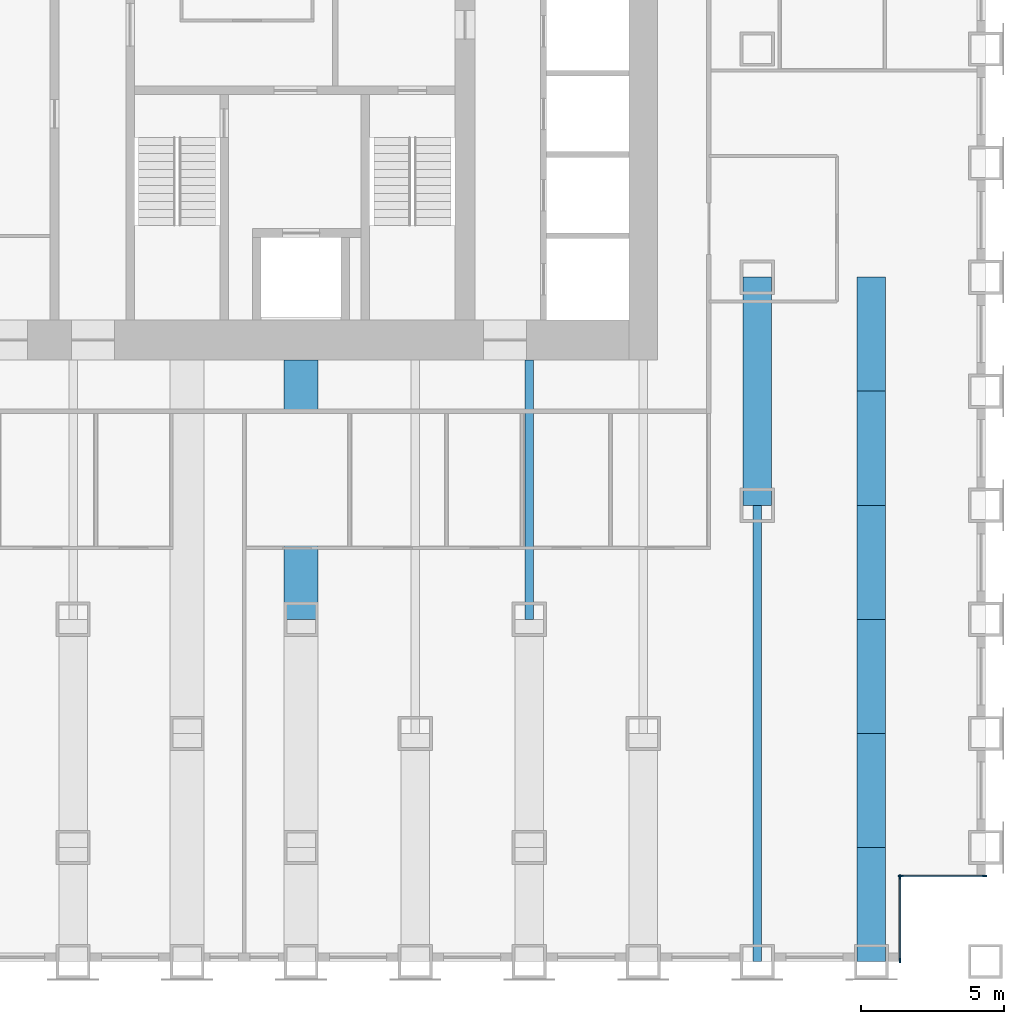
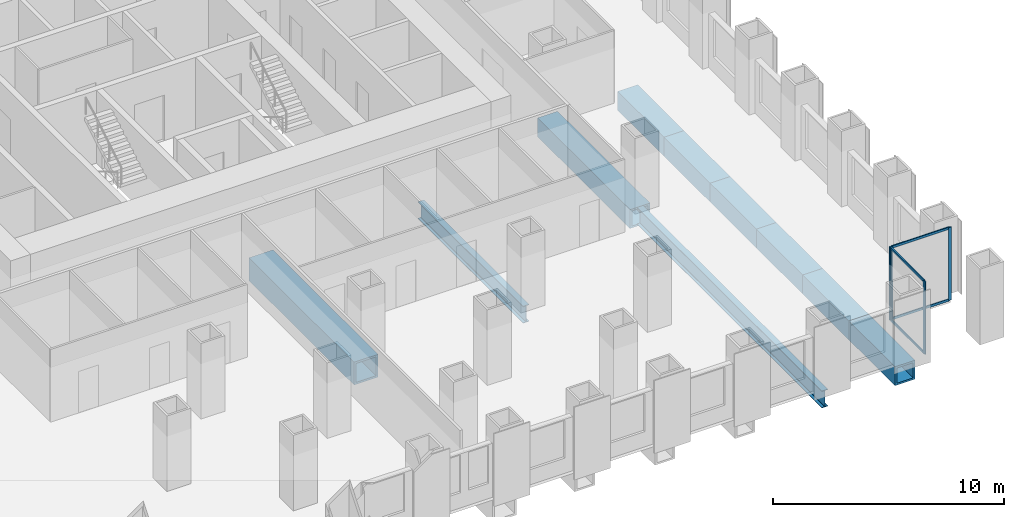
# One storey, part 4 of 14: 10 beams, 8 members, 2 elements without a shape of their own.
"""IFC4 building model written with IfcOpenShell, lengths in metres."""

from ifc_helpers import new_model, si_unit, direction, frame, origin, origin_2d, place, context, subcontext, project, spatial, rectangle, hollow_rectangle, i_section, extrude, material, material_profile, profile_set, type_object, element, aggregate, save


model = new_model("IFC4")

# Units and contexts
model_context = context("Model", 3, precision=1e-05, world=origin(), true_north=direction((0.0, 1.0)))
body_context = subcontext(model_context, "Body", "Model", "MODEL_VIEW")
ifc_project = project(units=[si_unit("LENGTHUNIT", "METRE"), si_unit("AREAUNIT", "SQUARE_METRE"), si_unit("VOLUMEUNIT", "CUBIC_METRE"), si_unit("PLANEANGLEUNIT", "RADIAN"), si_unit("MASSUNIT", "GRAM", prefix="KILO")], contexts=[model_context])

# Site, building, storey
site_placement = place(None, origin())
site = spatial("IfcSite", under=ifc_project, at=site_placement, CompositionType="ELEMENT")
building_placement = place(site_placement, origin())
building = spatial("IfcBuilding", under=site, at=building_placement, Name="Rimbunsela Tower", CompositionType="ELEMENT")
storey_placement = place(building_placement, frame((0.0, 0.0, 15.0)))
storey = spatial("IfcBuildingStorey", under=building, at=storey_placement, Name="L03", CompositionType="ELEMENT", Elevation=15.0)

# Beams
ifc_material_1 = material(Name="Steel BJ 55 (fy 410 MPa)", Category="steel")
ifc_material_profile_1 = material_profile(ifc_material_1, hollow_rectangle(XDim=1.0, YDim=1.0, WallThickness=0.10009765625, at=origin_2d()), Name="BOX 1000x1000x100")
ifc_profile_set_1 = profile_set([ifc_material_profile_1], Name="Steel BJ 55 (fy 410 MPa)")
beam_type_1 = type_object("IfcBeamType", Name="Beam BOX 1000x1000x100", PredefinedType="BEAM", material=ifc_profile_set_1)
beam_1_placement = place(storey_placement, frame((46.0, 12.0, -0.64990234375), z_axis=(0.0, 1.0, 0.0), x_axis=(-1.0, 0.0, 0.0)))
element("IfcBeam", 1, at=beam_1_placement, inside=storey, type_object=beam_type_1, Name="Beam B3 L03", PredefinedType="BEAM", context=body_context, shape_type="SweptSolid", body=[
    extrude(hollow_rectangle(XDim=1.0, YDim=1.0, WallThickness=0.10009765625, at=origin_2d()), origin(), (0.0, 0.0, 1.0), 8.0),
])
for number, where, z_axis, x_axis, name in (
    (2, (50.0, -4.0, -0.64990234375), (0.0, 1.0, 0.0), (-1.0, 0.0, 0.0), "Beam B3 L03"),
    (3, (50.0, 0.0, -0.64990234375), (0.0, 1.0, 0.0), (-1.0, 0.0, 0.0), "Beam B3 L03"),
    (4, (50.0, 4.0, -0.64990234375), (0.0, 1.0, 0.0), (-1.0, 0.0, 0.0), "Beam B3 L03"),
    (5, (50.0, 8.0, -0.64990234375), (0.0, 1.0, 0.0), (-1.0, 0.0, 0.0), "Beam B3 L03"),
    (6, (50.0, 12.0, -0.64990234375), (0.0, 1.0, 0.0), (-1.0, 0.0, 0.0), "Beam B3 L03"),
    (7, (50.0, 16.0, -0.64990234375), (0.0, 1.0, 0.0), (-1.0, 0.0, 0.0), "Beam B3 L03"),
):
    element("IfcBeam", number, at=place(storey_placement, frame(where, z_axis=z_axis, x_axis=x_axis)), inside=storey, type_object=beam_type_1, Name=name, PredefinedType="BEAM", context=body_context, shape_type="SweptSolid", body=[
        extrude(hollow_rectangle(XDim=1.0, YDim=1.0, WallThickness=0.10009765625, at=origin_2d()), origin(), (0.0, 0.0, 1.0), 4.0),
    ])
ifc_material_2 = material(Name="Steel BJ 55 (fy 410 MPa)", Category="steel")
ifc_material_profile_2 = material_profile(ifc_material_2, hollow_rectangle(XDim=1.199951171875, YDim=1.199951171875, WallThickness=0.10009765625, at=origin_2d()), Name="BOX 1200x1200x100")
ifc_profile_set_2 = profile_set([ifc_material_profile_2], Name="Steel BJ 55 (fy 410 MPa)")
beam_type_2 = type_object("IfcBeamType", Name="Beam BOX 1200x1200x100", PredefinedType="BEAM", material=ifc_profile_set_2)
beam_2_placement = place(storey_placement, frame((30.0, 8.0, -0.75), z_axis=(0.0, 1.0, 0.0), x_axis=(-1.0, 0.0, 0.0)))
element("IfcBeam", 8, at=beam_2_placement, inside=storey, type_object=beam_type_2, Name="Beam B5 L03", PredefinedType="BEAM", context=body_context, shape_type="SweptSolid", body=[
    extrude(hollow_rectangle(XDim=1.199951171875, YDim=1.199951171875, WallThickness=0.10009765625, at=origin_2d()), origin(), (0.0, 0.0, 1.0), 9.10009765625),
])
ifc_material_3 = material(Name="Steel BJ 55 (fy 410 MPa)", Category="steel")
ifc_material_profile_3 = material_profile(ifc_material_3, i_section(OverallWidth=0.300048828125, OverallDepth=0.89990234375, WebThickness=0.01611328125, FlangeThickness=0.028076171875, FilletRadius=0.028076171875, at=origin_2d()), Name="H 900x300x16x28")
ifc_profile_set_3 = profile_set([ifc_material_profile_3], Name="Steel BJ 55 (fy 410 MPa)")
beam_type_3 = type_object("IfcBeamType", Name="Beam H 900x300x16x28", PredefinedType="BEAM", material=ifc_profile_set_3)
beam_3_placement = place(storey_placement, frame((38.0, 8.0, -0.60009765625), z_axis=(0.0, 1.0, 0.0), x_axis=(-1.0, 0.0, 0.0)))
element("IfcBeam", 9, at=beam_3_placement, inside=storey, type_object=beam_type_3, Name="Beam B2 L03", PredefinedType="BEAM", context=body_context, shape_type="SweptSolid", body=[
    extrude(i_section(OverallWidth=0.300048828125, OverallDepth=0.89990234375, WebThickness=0.01611328125, FlangeThickness=0.028076171875, FilletRadius=0.028076171875, at=origin_2d()), origin(), (0.0, 0.0, 1.0), 9.10009765625),
])
beam_4_placement = place(storey_placement, frame((46.0, -4.0, -0.60009765625), z_axis=(0.0, 1.0, 0.0), x_axis=(-1.0, 0.0, 0.0)))
element("IfcBeam", 10, at=beam_4_placement, inside=storey, type_object=beam_type_3, Name="Beam B2 L03", PredefinedType="BEAM", context=body_context, shape_type="SweptSolid", body=[
    extrude(i_section(OverallWidth=0.300048828125, OverallDepth=0.89990234375, WebThickness=0.01611328125, FlangeThickness=0.028076171875, FilletRadius=0.028076171875, at=origin_2d()), origin(), (0.0, 0.0, 1.0), 16.0),
])

# Curtain wall, members
ifc_material_4 = material(Name="Aluminium curtain wall", Category="aluminium")
curtain_wall_type = type_object("IfcCurtainWallType", Name="Corner glazing", PredefinedType="USERDEFINED", material=ifc_material_4)
curtain_wall_1_placement = place(storey_placement, origin())
curtain_wall_1 = element("IfcCurtainWall", 11, at=curtain_wall_1_placement, inside=storey, type_object=curtain_wall_type, Name="Corner glazing L03", ObjectType="CORNER GLAZING", PredefinedType="USERDEFINED")
ifc_material_5 = material(Name="Aluminium mullion", Category="aluminium")
ifc_material_profile_4 = material_profile(ifc_material_5, rectangle(XDim=0.06005859375, YDim=0.159912109375, at=origin_2d()), Name="Mullion 60x160")
ifc_profile_set_4 = profile_set([ifc_material_profile_4], Name="Aluminium mullion")
member_type_1 = type_object("IfcMemberType", Name="Curtain wall mullion 60x160", PredefinedType="MULLION", material=ifc_profile_set_4)
member_1_placement = place(storey_placement, frame((51.0, -3.969970703125, 0.0), z_axis=(0.0, 0.0, 1.0), x_axis=(-1.0, 0.0, 0.0)))
member_1 = element("IfcMember", 12, at=member_1_placement, type_object=member_type_1, Name="CW5 mullion 1", PredefinedType="MULLION", context=body_context, shape_type="SweptSolid", body=[
    extrude(rectangle(XDim=0.06005859375, YDim=0.159912109375, at=origin_2d()), origin(), (0.0, 0.0, 1.0), 3.85009765625),
])
member_2_placement = place(storey_placement, frame((51.0, -1.030029296875, 0.0), z_axis=(0.0, 0.0, 1.0), x_axis=(-1.0, 0.0, 0.0)))
member_2 = element("IfcMember", 13, at=member_2_placement, type_object=member_type_1, Name="CW5 mullion 2", PredefinedType="MULLION", context=body_context, shape_type="SweptSolid", body=[
    extrude(rectangle(XDim=0.06005859375, YDim=0.159912109375, at=origin_2d()), origin(), (0.0, 0.0, 1.0), 3.85009765625),
])

curtain_wall_2_placement = place(storey_placement, origin())
curtain_wall_2 = element("IfcCurtainWall", 14, at=curtain_wall_2_placement, inside=storey, type_object=curtain_wall_type, Name="Corner glazing L03", ObjectType="CORNER GLAZING", PredefinedType="USERDEFINED")
member_3_placement = place(storey_placement, frame((51.030029296875, -1.0, 0.0), z_axis=(0.0, 0.0, 1.0), x_axis=(0.0, 1.0, 0.0)))
member_3 = element("IfcMember", 15, at=member_3_placement, type_object=member_type_1, Name="CW5 mullion 1", PredefinedType="MULLION", context=body_context, shape_type="SweptSolid", body=[
    extrude(rectangle(XDim=0.06005859375, YDim=0.159912109375, at=origin_2d()), origin(), (0.0, 0.0, 1.0), 3.85009765625),
])
member_4_placement = place(storey_placement, frame((53.969970703125, -1.0, 0.0), z_axis=(0.0, 0.0, 1.0), x_axis=(0.0, 1.0, 0.0)))
member_4 = element("IfcMember", 16, at=member_4_placement, type_object=member_type_1, Name="CW5 mullion 2", PredefinedType="MULLION", context=body_context, shape_type="SweptSolid", body=[
    extrude(rectangle(XDim=0.06005859375, YDim=0.159912109375, at=origin_2d()), origin(), (0.0, 0.0, 1.0), 3.85009765625),
])

# Member
ifc_material_6 = material(Name="Aluminium transom", Category="aluminium")
ifc_material_profile_5 = material_profile(ifc_material_6, rectangle(XDim=0.06005859375, YDim=0.1201171875, at=origin_2d()), Name="Transom 60x120")
ifc_profile_set_5 = profile_set([ifc_material_profile_5], Name="Aluminium transom")
member_type_2 = type_object("IfcMemberType", Name="Curtain wall transom 60x120", PredefinedType="USERDEFINED", material=ifc_profile_set_5)
member_5_placement = place(storey_placement, frame((51.0, -3.93994140625, 0.030029296875), z_axis=(0.0, 1.0, 0.0), x_axis=(-1.0, 0.0, 0.0)))
member_5 = element("IfcMember", 17, at=member_5_placement, type_object=member_type_2, Name="CW5 transom 1.1", ObjectType="TRANSOM", PredefinedType="USERDEFINED", context=body_context, shape_type="SweptSolid", body=[
    extrude(rectangle(XDim=0.06005859375, YDim=0.1201171875, at=origin_2d()), origin(), (0.0, 0.0, 1.0), 2.8798828125),
])

member_6_placement = place(storey_placement, frame((51.0, -3.93994140625, 3.820068359375), z_axis=(0.0, 1.0, 0.0), x_axis=(-1.0, 0.0, 0.0)))
member_6 = element("IfcMember", 18, at=member_6_placement, type_object=member_type_2, Name="CW5 transom 1.2", ObjectType="TRANSOM", PredefinedType="USERDEFINED", context=body_context, shape_type="SweptSolid", body=[
    extrude(rectangle(XDim=0.06005859375, YDim=0.1201171875, at=origin_2d()), origin(), (0.0, 0.0, 1.0), 2.8798828125),
])

aggregate(curtain_wall_1, [member_1, member_2, member_5, member_6])

member_7_placement = place(storey_placement, frame((51.06005859375, -1.0, 0.030029296875), z_axis=(1.0, 0.0, 0.0), x_axis=(0.0, 1.0, 0.0)))
member_7 = element("IfcMember", 19, at=member_7_placement, type_object=member_type_2, Name="CW5 transom 1.1", ObjectType="TRANSOM", PredefinedType="USERDEFINED", context=body_context, shape_type="SweptSolid", body=[
    extrude(rectangle(XDim=0.06005859375, YDim=0.1201171875, at=origin_2d()), origin(), (0.0, 0.0, 1.0), 2.8798828125),
])

member_8_placement = place(storey_placement, frame((51.06005859375, -1.0, 3.820068359375), z_axis=(1.0, 0.0, 0.0), x_axis=(0.0, 1.0, 0.0)))
member_8 = element("IfcMember", 20, at=member_8_placement, type_object=member_type_2, Name="CW5 transom 1.2", ObjectType="TRANSOM", PredefinedType="USERDEFINED", context=body_context, shape_type="SweptSolid", body=[
    extrude(rectangle(XDim=0.06005859375, YDim=0.1201171875, at=origin_2d()), origin(), (0.0, 0.0, 1.0), 2.8798828125),
])

aggregate(curtain_wall_2, [member_3, member_4, member_7, member_8])

save(model, "model.ifc")
